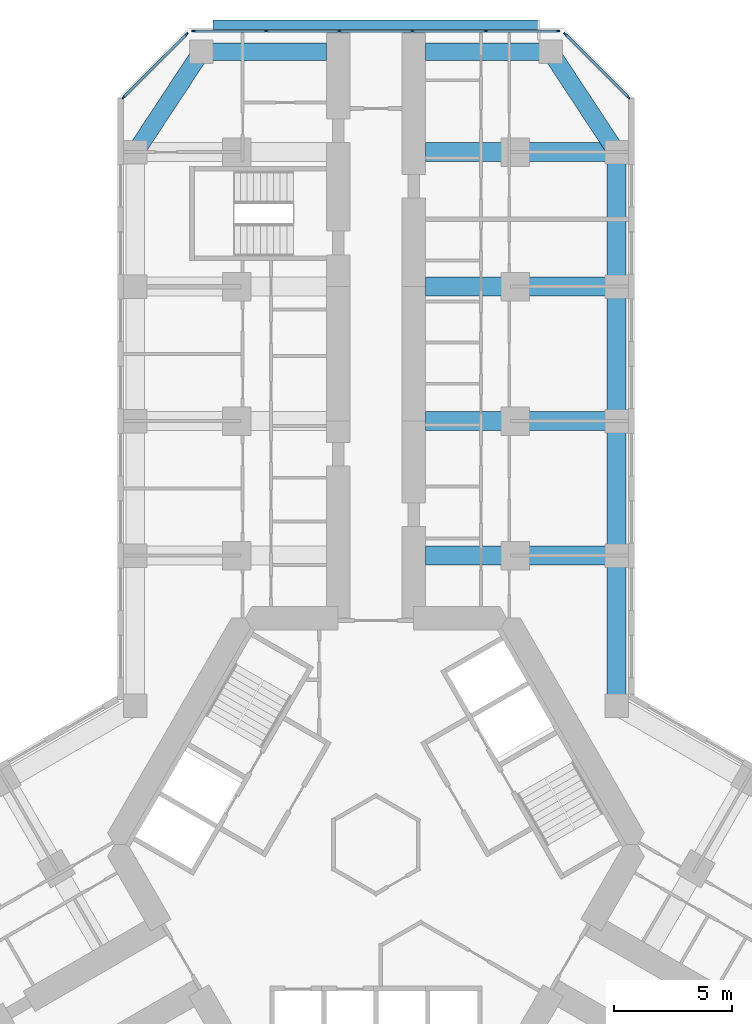
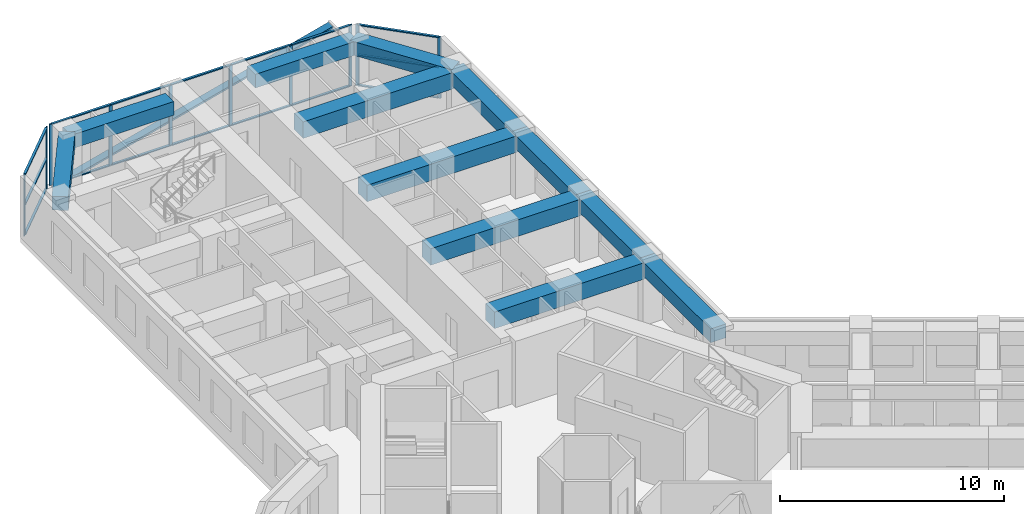
# One storey, part 7 of 21: 27 members, 12 beams, 3 elements without a shape of their own.
"""IFC4 building model written with IfcOpenShell, lengths in metres."""

from ifc_helpers import new_model, si_unit, direction, frame, origin, origin_2d, place, context, subcontext, project, spatial, rectangle, extrude, material, material_profile, profile_set, type_object, element, aggregate, save


model = new_model("IFC4")

# Units and contexts
model_context = context("Model", 3, precision=1e-05, world=origin(), true_north=direction((0.0, 1.0)))
body_context = subcontext(model_context, "Body", "Model", "MODEL_VIEW")
ifc_project = project(units=[si_unit("LENGTHUNIT", "METRE"), si_unit("AREAUNIT", "SQUARE_METRE"), si_unit("VOLUMEUNIT", "CUBIC_METRE"), si_unit("PLANEANGLEUNIT", "RADIAN"), si_unit("MASSUNIT", "GRAM", prefix="KILO")], contexts=[model_context])

# Site, building, storey
site_placement = place(None, origin())
site = spatial("IfcSite", under=ifc_project, at=site_placement, CompositionType="ELEMENT")
building_placement = place(site_placement, origin())
building = spatial("IfcBuilding", under=site, at=building_placement, Name="Kosmar Iwan School Tower", CompositionType="ELEMENT")
storey_placement = place(building_placement, frame((0.0, 0.0, 71.800048828125)))
storey = spatial("IfcBuildingStorey", under=building, at=storey_placement, Name="L17", CompositionType="ELEMENT", Elevation=71.800048828125)

# Member
ifc_material_1 = material(Name="Black anodised aluminium", Category="aluminium")
ifc_material_profile_1 = material_profile(ifc_material_1, rectangle(XDim=0.10009765625, YDim=0.39990234375, at=origin_2d()), Name="FIN 100x400")
ifc_profile_set_1 = profile_set([ifc_material_profile_1], Name="Black anodised aluminium")
member_type_1 = type_object("IfcMemberType", Name="Diagonal fin 100x400", PredefinedType="USERDEFINED", material=ifc_profile_set_1)
member_1_placement = place(storey_placement, frame((-6.898193359375, 34.75, -0.150146484375), z_axis=(0.967599450335, 0.0, 0.252490205179), x_axis=(-0.252490205179, 0.0, 0.967599450335)))
element("IfcMember", 1, at=member_1_placement, inside=storey, type_object=member_type_1, Name="Diagonal fin L17-F08", ObjectType="FIN", PredefinedType="USERDEFINED", context=body_context, shape_type="SweptSolid", body=[
    extrude(rectangle(XDim=0.10009765625, YDim=0.39990234375, at=origin_2d()), origin(), (0.0, 0.0, 1.0), 14.25830078125),
])

# Curtain wall, members
ifc_material_2 = material(Name="Dark glass in black aluminium frame", Category="aluminium")
curtain_wall_type_1 = type_object("IfcCurtainWallType", Name="Chamfer curtain wall dark glass", PredefinedType="USERDEFINED", material=ifc_material_2)
curtain_wall_1_placement = place(storey_placement, origin())
curtain_wall_1 = element("IfcCurtainWall", 2, at=curtain_wall_1_placement, inside=storey, type_object=curtain_wall_type_1, Name="Curtain wall L17-F07", ObjectType="FACETED CURTAIN WALL", PredefinedType="USERDEFINED")
ifc_material_3 = material(Name="Black anodised aluminium", Category="aluminium")
ifc_material_profile_2 = material_profile(ifc_material_3, rectangle(XDim=0.06005859375, YDim=0.159912109375, at=origin_2d()), Name="MULLION 60x160")
ifc_profile_set_2 = profile_set([ifc_material_profile_2], Name="Black anodised aluminium")
member_type_2 = type_object("IfcMemberType", Name="Mullion 60x160", PredefinedType="MULLION", material=ifc_profile_set_2)
member_2_placement = place(storey_placement, frame((10.69775390625, 31.675537109375, 0.0), z_axis=(0.0, 0.0, 1.0), x_axis=(-0.707106781187, -0.707106781187, 0.0)))
member_2 = element("IfcMember", 3, at=member_2_placement, type_object=member_type_2, Name="CW2 mullion 1", PredefinedType="MULLION", context=body_context, shape_type="SweptSolid", body=[
    extrude(rectangle(XDim=0.06005859375, YDim=0.159912109375, at=origin_2d()), origin(), (0.0, 0.0, 1.0), 3.349853515625),
])
member_3_placement = place(storey_placement, frame((8.025390625, 34.34765625, 0.0), z_axis=(0.0, 0.0, 1.0), x_axis=(-0.707106781187, -0.707106781187, 0.0)))
member_3 = element("IfcMember", 4, at=member_3_placement, type_object=member_type_2, Name="CW2 mullion 2", PredefinedType="MULLION", context=body_context, shape_type="SweptSolid", body=[
    extrude(rectangle(XDim=0.06005859375, YDim=0.159912109375, at=origin_2d()), origin(), (0.0, 0.0, 1.0), 3.349853515625),
])

ifc_material_4 = material(Name="Dark glass in black aluminium frame", Category="aluminium")
curtain_wall_type_2 = type_object("IfcCurtainWallType", Name="Tower curtain wall dark glass", PredefinedType="USERDEFINED", material=ifc_material_4)
curtain_wall_2_placement = place(storey_placement, origin())
curtain_wall_2 = element("IfcCurtainWall", 5, at=curtain_wall_2_placement, inside=storey, type_object=curtain_wall_type_2, Name="Curtain wall L17-F08", ObjectType="UNITISED CURTAIN WALL", PredefinedType="USERDEFINED")
member_4_placement = place(storey_placement, frame((7.71826171875, 34.47509765625, 0.0), z_axis=(0.0, 0.0, 1.0), x_axis=(0.0, -1.0, 0.0)))
member_4 = element("IfcMember", 6, at=member_4_placement, type_object=member_type_2, Name="CW1 mullion 1", PredefinedType="MULLION", context=body_context, shape_type="SweptSolid", body=[
    extrude(rectangle(XDim=0.06005859375, YDim=0.159912109375, at=origin_2d()), origin(), (0.0, 0.0, 1.0), 3.349853515625),
])
member_5_placement = place(storey_placement, frame((4.64892578125, 34.47509765625, 0.0), z_axis=(0.0, 0.0, 1.0), x_axis=(0.0, -1.0, 0.0)))
member_5 = element("IfcMember", 7, at=member_5_placement, type_object=member_type_2, Name="CW1 mullion 2", PredefinedType="MULLION", context=body_context, shape_type="SweptSolid", body=[
    extrude(rectangle(XDim=0.06005859375, YDim=0.159912109375, at=origin_2d()), origin(), (0.0, 0.0, 1.0), 3.349853515625),
])
member_6_placement = place(storey_placement, frame((1.549560546875, 34.47509765625, 0.0), z_axis=(0.0, 0.0, 1.0), x_axis=(0.0, -1.0, 0.0)))
member_6 = element("IfcMember", 8, at=member_6_placement, type_object=member_type_2, Name="CW1 mullion 3", PredefinedType="MULLION", context=body_context, shape_type="SweptSolid", body=[
    extrude(rectangle(XDim=0.06005859375, YDim=0.159912109375, at=origin_2d()), origin(), (0.0, 0.0, 1.0), 3.349853515625),
])
member_7_placement = place(storey_placement, frame((-1.549560546875, 34.47509765625, 0.0), z_axis=(0.0, 0.0, 1.0), x_axis=(0.0, -1.0, 0.0)))
member_7 = element("IfcMember", 9, at=member_7_placement, type_object=member_type_2, Name="CW1 mullion 4", PredefinedType="MULLION", context=body_context, shape_type="SweptSolid", body=[
    extrude(rectangle(XDim=0.06005859375, YDim=0.159912109375, at=origin_2d()), origin(), (0.0, 0.0, 1.0), 3.349853515625),
])
member_8_placement = place(storey_placement, frame((-4.64892578125, 34.47509765625, 0.0), z_axis=(0.0, 0.0, 1.0), x_axis=(0.0, -1.0, 0.0)))
member_8 = element("IfcMember", 10, at=member_8_placement, type_object=member_type_2, Name="CW1 mullion 5", PredefinedType="MULLION", context=body_context, shape_type="SweptSolid", body=[
    extrude(rectangle(XDim=0.06005859375, YDim=0.159912109375, at=origin_2d()), origin(), (0.0, 0.0, 1.0), 3.349853515625),
])
member_9_placement = place(storey_placement, frame((-7.71826171875, 34.47509765625, 0.0), z_axis=(0.0, 0.0, 1.0), x_axis=(0.0, -1.0, 0.0)))
member_9 = element("IfcMember", 11, at=member_9_placement, type_object=member_type_2, Name="CW1 mullion 6", PredefinedType="MULLION", context=body_context, shape_type="SweptSolid", body=[
    extrude(rectangle(XDim=0.06005859375, YDim=0.159912109375, at=origin_2d()), origin(), (0.0, 0.0, 1.0), 3.349853515625),
])

curtain_wall_3_placement = place(storey_placement, origin())
curtain_wall_3 = element("IfcCurtainWall", 12, at=curtain_wall_3_placement, inside=storey, type_object=curtain_wall_type_1, Name="Curtain wall L17-F09", ObjectType="FACETED CURTAIN WALL", PredefinedType="USERDEFINED")
member_10_placement = place(storey_placement, frame((-8.025390625, 34.34765625, 0.0), z_axis=(0.0, 0.0, 1.0), x_axis=(0.707106781187, -0.707106781187, 0.0)))
member_10 = element("IfcMember", 13, at=member_10_placement, type_object=member_type_2, Name="CW2 mullion 1", PredefinedType="MULLION", context=body_context, shape_type="SweptSolid", body=[
    extrude(rectangle(XDim=0.06005859375, YDim=0.159912109375, at=origin_2d()), origin(), (0.0, 0.0, 1.0), 3.349853515625),
])
member_11_placement = place(storey_placement, frame((-10.69775390625, 31.675537109375, 0.0), z_axis=(0.0, 0.0, 1.0), x_axis=(0.707106781187, -0.707106781187, 0.0)))
member_11 = element("IfcMember", 14, at=member_11_placement, type_object=member_type_2, Name="CW2 mullion 2", PredefinedType="MULLION", context=body_context, shape_type="SweptSolid", body=[
    extrude(rectangle(XDim=0.06005859375, YDim=0.159912109375, at=origin_2d()), origin(), (0.0, 0.0, 1.0), 3.349853515625),
])

# Beams
ifc_material_5 = material(Name="Concrete C50/60", Category="concrete")
ifc_material_profile_3 = material_profile(ifc_material_5, rectangle(XDim=0.800048828125, YDim=0.75, at=origin_2d()), Name="RC 800x750")
ifc_profile_set_3 = profile_set([ifc_material_profile_3], Name="Concrete C50/60")
beam_type_1 = type_object("IfcBeamType", Name="RC edge beam 800x750", PredefinedType="BEAM", material=ifc_profile_set_3)
beam_1_placement = place(storey_placement, frame((10.199951171875, 5.888916015625, 2.974853515625), z_axis=(0.0, 1.0, 0.0), x_axis=(-1.0, 0.0, 0.0)))
element("IfcBeam", 15, at=beam_1_placement, inside=storey, type_object=beam_type_1, Name="Edge beam AR1", PredefinedType="BEAM", context=body_context, shape_type="SweptSolid", body=[
    extrude(rectangle(XDim=0.800048828125, YDim=0.75, at=origin_2d()), origin(), (0.0, 0.0, 1.0), 6.361083984375),
])
for number, where, z_axis, x_axis, name in (
    (16, (10.199951171875, 12.25, 2.974853515625), (0.0, 1.0, 0.0), (-1.0, 0.0, 0.0), "Edge beam AR2"),
    (17, (10.199951171875, 17.949951171875, 2.974853515625), (0.0, 1.0, 0.0), (-1.0, 0.0, 0.0), "Edge beam AR3"),
):
    element("IfcBeam", number, at=place(storey_placement, frame(where, z_axis=z_axis, x_axis=x_axis)), inside=storey, type_object=beam_type_1, Name=name, PredefinedType="BEAM", context=body_context, shape_type="SweptSolid", body=[
        extrude(rectangle(XDim=0.800048828125, YDim=0.75, at=origin_2d()), origin(), (0.0, 0.0, 1.0), 5.699951171875),
    ])
beam_2_placement = place(storey_placement, frame((10.199951171875, 23.64990234375, 2.974853515625), z_axis=(0.0, 1.0, 0.0), x_axis=(-1.0, 0.0, 0.0)))
element("IfcBeam", 18, at=beam_2_placement, inside=storey, type_object=beam_type_1, Name="Edge beam AR4", PredefinedType="BEAM", context=body_context, shape_type="SweptSolid", body=[
    extrude(rectangle(XDim=0.800048828125, YDim=0.75, at=origin_2d()), origin(), (0.0, 0.0, 1.0), 5.7001953125),
])
ifc_material_6 = material(Name="Concrete C50/60", Category="concrete")
ifc_material_profile_4 = material_profile(ifc_material_6, rectangle(XDim=0.75, YDim=0.75, at=origin_2d()), Name="RC 750x750")
ifc_profile_set_4 = profile_set([ifc_material_profile_4], Name="Concrete C50/60")
beam_type_2 = type_object("IfcBeamType", Name="RC tip beam 750x750", PredefinedType="BEAM", material=ifc_profile_set_4)
beam_3_placement = place(storey_placement, frame((-10.199951171875, 29.35009765625, 2.974853515625), z_axis=(0.550164383043, 0.835056376319, 0.0), x_axis=(-0.835056376319, 0.550164383043, 0.0)))
element("IfcBeam", 19, at=beam_3_placement, inside=storey, type_object=beam_type_2, Name="Tip beam AL", PredefinedType="BEAM", context=body_context, shape_type="SweptSolid", body=[
    extrude(rectangle(XDim=0.75, YDim=0.75, at=origin_2d()), origin(), (0.0, 0.0, 1.0), 5.08935546875),
])
beam_4_placement = place(storey_placement, frame((-7.39990234375, 33.60009765625, 2.974853515625), z_axis=(1.0, 0.0, 0.0), x_axis=(0.0, 1.0, 0.0)))
element("IfcBeam", 20, at=beam_4_placement, inside=storey, type_object=beam_type_2, Name="Tip beam AL to corridor wall", PredefinedType="BEAM", context=body_context, shape_type="SweptSolid", body=[
    extrude(rectangle(XDim=0.75, YDim=0.75, at=origin_2d()), origin(), (0.0, 0.0, 1.0), 5.2998046875),
])
beam_5_placement = place(storey_placement, frame((10.199951171875, 29.35009765625, 2.974853515625), z_axis=(-0.550164383043, 0.835056376319, 0.0), x_axis=(-0.835056376319, -0.550164383043, 0.0)))
element("IfcBeam", 21, at=beam_5_placement, inside=storey, type_object=beam_type_2, Name="Tip beam AR", PredefinedType="BEAM", context=body_context, shape_type="SweptSolid", body=[
    extrude(rectangle(XDim=0.75, YDim=0.75, at=origin_2d()), origin(), (0.0, 0.0, 1.0), 5.08935546875),
])
beam_6_placement = place(storey_placement, frame((7.39990234375, 33.60009765625, 2.974853515625), z_axis=(-1.0, 0.0, 0.0), x_axis=(0.0, -1.0, 0.0)))
element("IfcBeam", 22, at=beam_6_placement, inside=storey, type_object=beam_type_2, Name="Tip beam AR to corridor wall", PredefinedType="BEAM", context=body_context, shape_type="SweptSolid", body=[
    extrude(rectangle(XDim=0.75, YDim=0.75, at=origin_2d()), origin(), (0.0, 0.0, 1.0), 5.2998046875),
])
ifc_material_7 = material(Name="Concrete C50/60", Category="concrete")
ifc_material_profile_5 = material_profile(ifc_material_7, rectangle(XDim=0.800048828125, YDim=0.89990234375, at=origin_2d()), Name="RC 800x900")
ifc_profile_set_5 = profile_set([ifc_material_profile_5], Name="Concrete C50/60")
beam_type_3 = type_object("IfcBeamType", Name="RC transverse beam 800x900", PredefinedType="BEAM", material=ifc_profile_set_5)
for number, where, z_axis, x_axis, name in (
    (23, (10.199951171875, 12.25, 2.89990234375), (-1.0, 0.0, 0.0), (0.0, -1.0, 0.0), "Transverse beam AR1"),
    (24, (10.199951171875, 17.949951171875, 2.89990234375), (-1.0, 0.0, 0.0), (0.0, -1.0, 0.0), "Transverse beam AR2"),
    (25, (10.199951171875, 23.64990234375, 2.89990234375), (-1.0, 0.0, 0.0), (0.0, -1.0, 0.0), "Transverse beam AR3"),
    (26, (10.199951171875, 29.35009765625, 2.89990234375), (-1.0, 0.0, 0.0), (0.0, -1.0, 0.0), "Transverse beam AR4"),
):
    element("IfcBeam", number, at=place(storey_placement, frame(where, z_axis=z_axis, x_axis=x_axis)), inside=storey, type_object=beam_type_3, Name=name, PredefinedType="BEAM", context=body_context, shape_type="SweptSolid", body=[
        extrude(rectangle(XDim=0.800048828125, YDim=0.89990234375, at=origin_2d()), origin(), (0.0, 0.0, 1.0), 8.099853515625),
    ])

# Member
ifc_material_8 = material(Name="Black anodised aluminium", Category="aluminium")
ifc_material_profile_6 = material_profile(ifc_material_8, rectangle(XDim=0.1201171875, YDim=0.06005859375, at=origin_2d()), Name="TRANSOM 60x120")
ifc_profile_set_6 = profile_set([ifc_material_profile_6], Name="Black anodised aluminium")
member_type_3 = type_object("IfcMemberType", Name="Transom 60x120", PredefinedType="USERDEFINED", material=ifc_profile_set_6)
member_12_placement = place(storey_placement, frame((10.676513671875, 31.69677734375, 0.030029296875), z_axis=(-0.707139603466, 0.707073957383, 0.0), x_axis=(-0.707073957383, -0.707139603466, 0.0)))
member_12 = element("IfcMember", 27, at=member_12_placement, type_object=member_type_3, Name="CW2 transom 1.1", ObjectType="TRANSOM", PredefinedType="USERDEFINED", context=body_context, shape_type="SweptSolid", body=[
    extrude(rectangle(XDim=0.1201171875, YDim=0.06005859375, at=origin_2d()), origin(), (0.0, 0.0, 1.0), 3.718994140625),
])

member_13_placement = place(storey_placement, frame((10.676513671875, 31.69677734375, 1.675048828125), z_axis=(-0.707139603466, 0.707073957383, 0.0), x_axis=(-0.707073957383, -0.707139603466, 0.0)))
member_13 = element("IfcMember", 28, at=member_13_placement, type_object=member_type_3, Name="CW2 transom 1.2", ObjectType="TRANSOM", PredefinedType="USERDEFINED", context=body_context, shape_type="SweptSolid", body=[
    extrude(rectangle(XDim=0.1201171875, YDim=0.06005859375, at=origin_2d()), origin(), (0.0, 0.0, 1.0), 3.718994140625),
])

member_14_placement = place(storey_placement, frame((10.676513671875, 31.69677734375, 3.320068359375), z_axis=(-0.707139603466, 0.707073957383, 0.0), x_axis=(-0.707073957383, -0.707139603466, 0.0)))
member_14 = element("IfcMember", 29, at=member_14_placement, type_object=member_type_3, Name="CW2 transom 1.3", ObjectType="TRANSOM", PredefinedType="USERDEFINED", context=body_context, shape_type="SweptSolid", body=[
    extrude(rectangle(XDim=0.1201171875, YDim=0.06005859375, at=origin_2d()), origin(), (0.0, 0.0, 1.0), 3.718994140625),
])

aggregate(curtain_wall_1, [member_2, member_3, member_12, member_13, member_14])

member_15_placement = place(storey_placement, frame((7.688232421875, 34.47509765625, 0.030029296875), z_axis=(-1.0, 0.0, 0.0), x_axis=(0.0, -1.0, 0.0)))
member_15 = element("IfcMember", 30, at=member_15_placement, type_object=member_type_3, Name="CW1 transom 1.1", ObjectType="TRANSOM", PredefinedType="USERDEFINED", context=body_context, shape_type="SweptSolid", body=[
    extrude(rectangle(XDim=0.1201171875, YDim=0.06005859375, at=origin_2d()), origin(), (0.0, 0.0, 1.0), 3.00927734375),
])

member_16_placement = place(storey_placement, frame((7.688232421875, 34.47509765625, 3.320068359375), z_axis=(-1.0, 0.0, 0.0), x_axis=(0.0, -1.0, 0.0)))
member_16 = element("IfcMember", 31, at=member_16_placement, type_object=member_type_3, Name="CW1 transom 1.2", ObjectType="TRANSOM", PredefinedType="USERDEFINED", context=body_context, shape_type="SweptSolid", body=[
    extrude(rectangle(XDim=0.1201171875, YDim=0.06005859375, at=origin_2d()), origin(), (0.0, 0.0, 1.0), 3.00927734375),
])

member_17_placement = place(storey_placement, frame((4.618896484375, 34.47509765625, 0.030029296875), z_axis=(-1.0, 0.0, 0.0), x_axis=(0.0, -1.0, 0.0)))
member_17 = element("IfcMember", 32, at=member_17_placement, type_object=member_type_3, Name="CW1 transom 2.1", ObjectType="TRANSOM", PredefinedType="USERDEFINED", context=body_context, shape_type="SweptSolid", body=[
    extrude(rectangle(XDim=0.1201171875, YDim=0.06005859375, at=origin_2d()), origin(), (0.0, 0.0, 1.0), 3.039306640625),
])

member_18_placement = place(storey_placement, frame((4.618896484375, 34.47509765625, 3.320068359375), z_axis=(-1.0, 0.0, 0.0), x_axis=(0.0, -1.0, 0.0)))
member_18 = element("IfcMember", 33, at=member_18_placement, type_object=member_type_3, Name="CW1 transom 2.2", ObjectType="TRANSOM", PredefinedType="USERDEFINED", context=body_context, shape_type="SweptSolid", body=[
    extrude(rectangle(XDim=0.1201171875, YDim=0.06005859375, at=origin_2d()), origin(), (0.0, 0.0, 1.0), 3.039306640625),
])

member_19_placement = place(storey_placement, frame((1.51953125, 34.47509765625, 0.030029296875), z_axis=(-1.0, 0.0, 0.0), x_axis=(0.0, -1.0, 0.0)))
member_19 = element("IfcMember", 34, at=member_19_placement, type_object=member_type_3, Name="CW1 transom 3.1", ObjectType="TRANSOM", PredefinedType="USERDEFINED", context=body_context, shape_type="SweptSolid", body=[
    extrude(rectangle(XDim=0.1201171875, YDim=0.06005859375, at=origin_2d()), origin(), (0.0, 0.0, 1.0), 3.0390625),
])

member_20_placement = place(storey_placement, frame((1.51953125, 34.47509765625, 3.320068359375), z_axis=(-1.0, 0.0, 0.0), x_axis=(0.0, -1.0, 0.0)))
member_20 = element("IfcMember", 35, at=member_20_placement, type_object=member_type_3, Name="CW1 transom 3.2", ObjectType="TRANSOM", PredefinedType="USERDEFINED", context=body_context, shape_type="SweptSolid", body=[
    extrude(rectangle(XDim=0.1201171875, YDim=0.06005859375, at=origin_2d()), origin(), (0.0, 0.0, 1.0), 3.0390625),
])

member_21_placement = place(storey_placement, frame((-1.57958984375, 34.47509765625, 0.030029296875), z_axis=(-1.0, 0.0, 0.0), x_axis=(0.0, -1.0, 0.0)))
member_21 = element("IfcMember", 36, at=member_21_placement, type_object=member_type_3, Name="CW1 transom 4.1", ObjectType="TRANSOM", PredefinedType="USERDEFINED", context=body_context, shape_type="SweptSolid", body=[
    extrude(rectangle(XDim=0.1201171875, YDim=0.06005859375, at=origin_2d()), origin(), (0.0, 0.0, 1.0), 3.039306640625),
])

member_22_placement = place(storey_placement, frame((-1.57958984375, 34.47509765625, 3.320068359375), z_axis=(-1.0, 0.0, 0.0), x_axis=(0.0, -1.0, 0.0)))
member_22 = element("IfcMember", 37, at=member_22_placement, type_object=member_type_3, Name="CW1 transom 4.2", ObjectType="TRANSOM", PredefinedType="USERDEFINED", context=body_context, shape_type="SweptSolid", body=[
    extrude(rectangle(XDim=0.1201171875, YDim=0.06005859375, at=origin_2d()), origin(), (0.0, 0.0, 1.0), 3.039306640625),
])

member_23_placement = place(storey_placement, frame((-4.678955078125, 34.47509765625, 0.030029296875), z_axis=(-1.0, 0.0, 0.0), x_axis=(0.0, -1.0, 0.0)))
member_23 = element("IfcMember", 38, at=member_23_placement, type_object=member_type_3, Name="CW1 transom 5.1", ObjectType="TRANSOM", PredefinedType="USERDEFINED", context=body_context, shape_type="SweptSolid", body=[
    extrude(rectangle(XDim=0.1201171875, YDim=0.06005859375, at=origin_2d()), origin(), (0.0, 0.0, 1.0), 3.00927734375),
])

member_24_placement = place(storey_placement, frame((-4.678955078125, 34.47509765625, 3.320068359375), z_axis=(-1.0, 0.0, 0.0), x_axis=(0.0, -1.0, 0.0)))
member_24 = element("IfcMember", 39, at=member_24_placement, type_object=member_type_3, Name="CW1 transom 5.2", ObjectType="TRANSOM", PredefinedType="USERDEFINED", context=body_context, shape_type="SweptSolid", body=[
    extrude(rectangle(XDim=0.1201171875, YDim=0.06005859375, at=origin_2d()), origin(), (0.0, 0.0, 1.0), 3.00927734375),
])

aggregate(curtain_wall_2, [member_4, member_5, member_6, member_7, member_8, member_9, member_15, member_16, member_17, member_18, member_19, member_20, member_21, member_22, member_23, member_24])

member_25_placement = place(storey_placement, frame((-8.046630859375, 34.326416015625, 0.030029296875), z_axis=(-0.707139603466, -0.707073957383, 0.0), x_axis=(0.707073957383, -0.707139603466, 0.0)))
member_25 = element("IfcMember", 40, at=member_25_placement, type_object=member_type_3, Name="CW2 transom 1.1", ObjectType="TRANSOM", PredefinedType="USERDEFINED", context=body_context, shape_type="SweptSolid", body=[
    extrude(rectangle(XDim=0.1201171875, YDim=0.06005859375, at=origin_2d()), origin(), (0.0, 0.0, 1.0), 3.718994140625),
])

member_26_placement = place(storey_placement, frame((-8.046630859375, 34.326416015625, 1.675048828125), z_axis=(-0.707139603466, -0.707073957383, 0.0), x_axis=(0.707073957383, -0.707139603466, 0.0)))
member_26 = element("IfcMember", 41, at=member_26_placement, type_object=member_type_3, Name="CW2 transom 1.2", ObjectType="TRANSOM", PredefinedType="USERDEFINED", context=body_context, shape_type="SweptSolid", body=[
    extrude(rectangle(XDim=0.1201171875, YDim=0.06005859375, at=origin_2d()), origin(), (0.0, 0.0, 1.0), 3.718994140625),
])

member_27_placement = place(storey_placement, frame((-8.046630859375, 34.326416015625, 3.320068359375), z_axis=(-0.707139603466, -0.707073957383, 0.0), x_axis=(0.707073957383, -0.707139603466, 0.0)))
member_27 = element("IfcMember", 42, at=member_27_placement, type_object=member_type_3, Name="CW2 transom 1.3", ObjectType="TRANSOM", PredefinedType="USERDEFINED", context=body_context, shape_type="SweptSolid", body=[
    extrude(rectangle(XDim=0.1201171875, YDim=0.06005859375, at=origin_2d()), origin(), (0.0, 0.0, 1.0), 3.718994140625),
])

aggregate(curtain_wall_3, [member_10, member_11, member_25, member_26, member_27])

save(model, "model.ifc")
